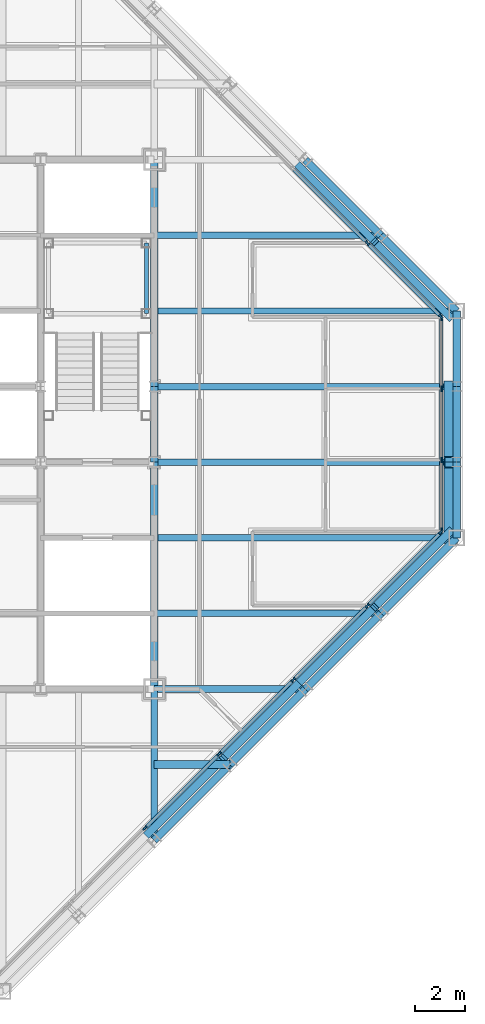
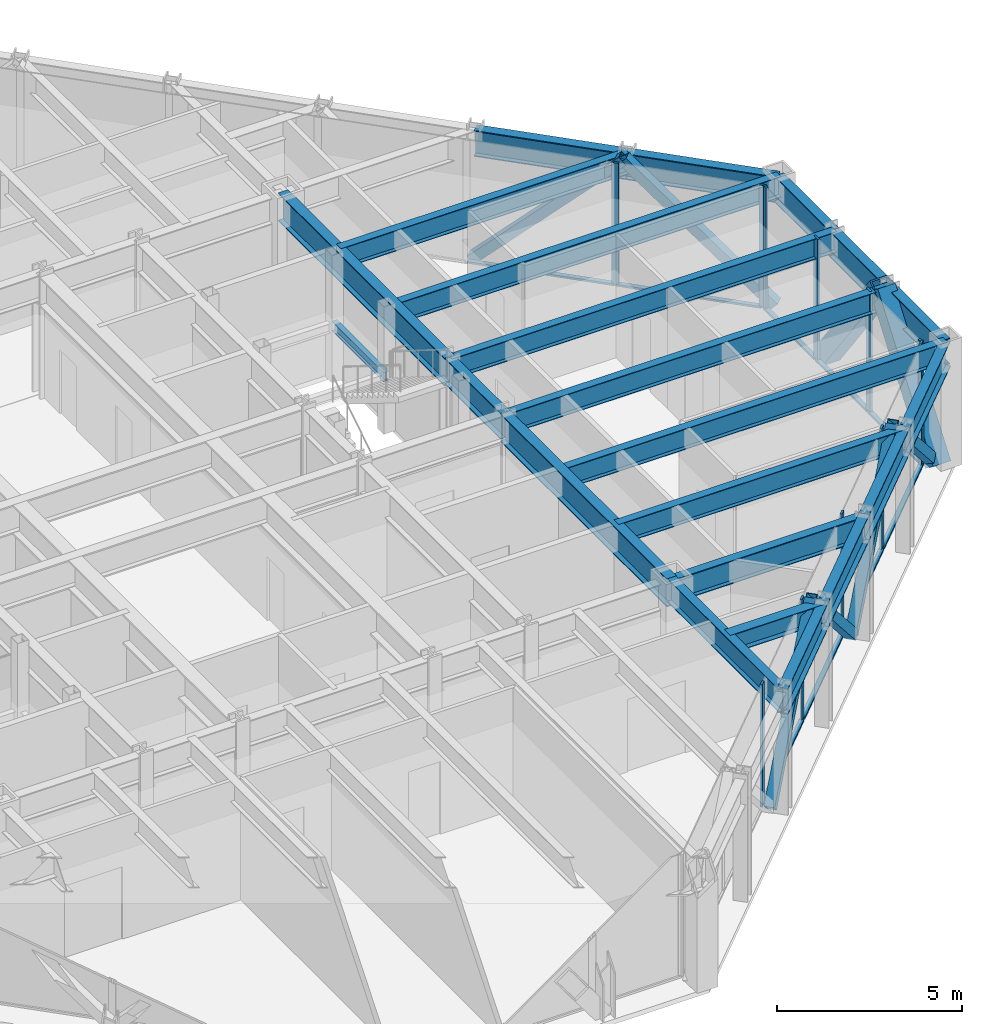
# One storey, part 7 of 15: 28 members, 22 beams, 3 elements without a shape of their own.
"""IFC4 building model written with IfcOpenShell, lengths in metres."""

from ifc_helpers import new_model, si_unit, direction, frame, origin, origin_2d, place, context, subcontext, project, spatial, rectangle, hollow_rectangle, i_section, extrude, material, layer, layer_set, material_profile, profile_set, type_object, element, aggregate, save


model = new_model("IFC4")

# Units and contexts
model_context = context("Model", 3, precision=1e-05, world=origin(), true_north=direction((0.0, 1.0)))
body_context = subcontext(model_context, "Body", "Model", "MODEL_VIEW")
ifc_project = project(units=[si_unit("LENGTHUNIT", "METRE"), si_unit("AREAUNIT", "SQUARE_METRE"), si_unit("VOLUMEUNIT", "CUBIC_METRE"), si_unit("PLANEANGLEUNIT", "RADIAN"), si_unit("MASSUNIT", "GRAM", prefix="KILO")], contexts=[model_context])

# Site, building, storey
site_placement = place(None, origin())
site = spatial("IfcSite", under=ifc_project, at=site_placement, CompositionType="ELEMENT")
building_placement = place(site_placement, origin())
building = spatial("IfcBuilding", under=site, at=building_placement, Name="Chuquiago Exchange Tower", CompositionType="ELEMENT")
storey_placement = place(building_placement, frame((0.0, 0.0, 291.60009765625)))
storey = spatial("IfcBuildingStorey", under=building, at=storey_placement, Name="L65", CompositionType="ELEMENT", Elevation=291.60009765625)

# Beams
ifc_material_1 = material(Name="Steel ASTM A992", Category="steel")
ifc_material_profile_1 = material_profile(ifc_material_1, i_section(OverallWidth=0.25390625, OverallDepth=0.683349609375, WebThickness=0.012451171875, FlangeThickness=0.018798828125, at=origin_2d()), Name="W27X94")
ifc_profile_set_1 = profile_set([ifc_material_profile_1], Name="Steel ASTM A992")
beam_type_1 = type_object("IfcBeamType", Name="B1 W27X94", PredefinedType="BEAM", material=ifc_profile_set_1)
beam_1_placement = place(storey_placement, frame((33.0, 15.0, 3.6982421875), z_axis=(1.0, 0.0, 0.0), x_axis=(0.0, 1.0, 0.0)))
element("IfcBeam", 1, at=beam_1_placement, inside=storey, type_object=beam_type_1, Name="FB-L66-infill-33_15-42_15-0", PredefinedType="BEAM", context=body_context, shape_type="SweptSolid", body=[
    extrude(i_section(OverallWidth=0.25390625, OverallDepth=0.683349609375, WebThickness=0.012451171875, FlangeThickness=0.018798828125, at=origin_2d()), origin(), (0.0, 0.0, 1.0), 9.0),
])
for number, where, z_axis, x_axis, name in (
    (2, (33.0, 18.0, 3.6982421875), (1.0, 0.0, 0.0), (0.0, 1.0, 0.0), "FB-L66-infill-33_18-45_18-0"),
    (3, (33.0, 21.0, 3.6982421875), (1.0, 0.0, 0.0), (0.0, 1.0, 0.0), "FB-L66-infill-33_21-45_21-0"),
    (4, (33.0, 24.0, 3.6982421875), (1.0, 0.0, 0.0), (0.0, 1.0, 0.0), "FB-L66-infill-33_24-45_24-0"),
    (5, (33.0, 27.0, 3.6982421875), (1.0, 0.0, 0.0), (0.0, 1.0, 0.0), "FB-L66-infill-33_27-45_27-0"),
):
    element("IfcBeam", number, at=place(storey_placement, frame(where, z_axis=z_axis, x_axis=x_axis)), inside=storey, type_object=beam_type_1, Name=name, PredefinedType="BEAM", context=body_context, shape_type="SweptSolid", body=[
        extrude(i_section(OverallWidth=0.25390625, OverallDepth=0.683349609375, WebThickness=0.012451171875, FlangeThickness=0.018798828125, at=origin_2d()), origin(), (0.0, 0.0, 1.0), 12.0),
    ])
beam_2_placement = place(storey_placement, frame((33.0, 30.0, 3.6982421875), z_axis=(1.0, 0.0, 0.0), x_axis=(0.0, 1.0, 0.0)))
element("IfcBeam", 6, at=beam_2_placement, inside=storey, type_object=beam_type_1, Name="FB-L66-infill-33_30-42_30-0", PredefinedType="BEAM", context=body_context, shape_type="SweptSolid", body=[
    extrude(i_section(OverallWidth=0.25390625, OverallDepth=0.683349609375, WebThickness=0.012451171875, FlangeThickness=0.018798828125, at=origin_2d()), origin(), (0.0, 0.0, 1.0), 9.0),
])
ifc_material_2 = material(Name="Steel ASTM A992", Category="steel")
ifc_material_profile_2 = material_profile(ifc_material_2, i_section(OverallWidth=0.307373046875, OverallDepth=0.927001953125, WebThickness=0.01953125, FlangeThickness=0.031982421875, at=origin_2d()), Name="W36X194")
ifc_profile_set_2 = profile_set([ifc_material_profile_2], Name="Steel ASTM A992")
beam_type_2 = type_object("IfcBeamType", Name="B10 W36X194", PredefinedType="BEAM", material=ifc_profile_set_2)
for number, where, z_axis, x_axis, name in (
    (7, (33.0, 12.0, 3.576416015625), (0.0, 1.0, 0.0), (-1.0, 0.0, 0.0), "CB-L66-33_12-33_21"),
    (8, (33.0, 24.0, 3.576416015625), (0.0, 1.0, 0.0), (-1.0, 0.0, 0.0), "CB-L66-33_24-33_33"),
):
    element("IfcBeam", number, at=place(storey_placement, frame(where, z_axis=z_axis, x_axis=x_axis)), inside=storey, type_object=beam_type_2, Name=name, PredefinedType="BEAM", context=body_context, shape_type="SweptSolid", body=[
        extrude(i_section(OverallWidth=0.307373046875, OverallDepth=0.927001953125, WebThickness=0.01953125, FlangeThickness=0.031982421875, at=origin_2d()), origin(), (0.0, 0.0, 1.0), 9.0),
    ])
ifc_material_3 = material(Name="Steel ASTM A992", Category="steel")
ifc_material_profile_3 = material_profile(ifc_material_3, i_section(OverallWidth=0.3251953125, OverallDepth=0.612060546875, WebThickness=0.0126953125, FlangeThickness=0.01904296875, at=origin_2d()), Name="W24X104")
ifc_profile_set_3 = profile_set([ifc_material_profile_3], Name="Steel ASTM A992")
beam_type_3 = type_object("IfcBeamType", Name="B2 W24X104", PredefinedType="BEAM", material=ifc_profile_set_3)
beam_3_placement = place(storey_placement, frame((33.0, 9.0, 3.73388671875), z_axis=(1.0, 0.0, 0.0), x_axis=(0.0, 1.0, 0.0)))
element("IfcBeam", 9, at=beam_3_placement, inside=storey, type_object=beam_type_3, Name="FB-L66-corner-33_9-36_9-0", PredefinedType="BEAM", context=body_context, shape_type="SweptSolid", body=[
    extrude(i_section(OverallWidth=0.3251953125, OverallDepth=0.612060546875, WebThickness=0.0126953125, FlangeThickness=0.01904296875, at=origin_2d()), origin(), (0.0, 0.0, 1.0), 3.0),
])
ifc_material_4 = material(Name="Steel ASTM A992", Category="steel")
ifc_material_profile_4 = material_profile(ifc_material_4, i_section(OverallWidth=0.2919921875, OverallDepth=0.8583984375, WebThickness=0.01708984375, FlangeThickness=0.031005859375, at=origin_2d()), Name="W33X169")
ifc_profile_set_4 = profile_set([ifc_material_profile_4], Name="Steel ASTM A992")
beam_type_4 = type_object("IfcBeamType", Name="B3 W33X169", PredefinedType="BEAM", material=ifc_profile_set_4)
beam_4_placement = place(storey_placement, frame((33.0, 21.0, 3.610595703125), z_axis=(0.0, 1.0, 0.0), x_axis=(-1.0, 0.0, 0.0)))
element("IfcBeam", 10, at=beam_4_placement, inside=storey, type_object=beam_type_4, Name="CB-L66-33_21-33_24", PredefinedType="BEAM", context=body_context, shape_type="SweptSolid", body=[
    extrude(i_section(OverallWidth=0.2919921875, OverallDepth=0.8583984375, WebThickness=0.01708984375, FlangeThickness=0.031005859375, at=origin_2d()), origin(), (0.0, 0.0, 1.0), 3.0),
])

# Curtain wall, members
ifc_material_5 = material(Name="Aluminium curtain wall system", Category="aluminium")
ifc_layer_1 = layer(ifc_material_5, 0.22509765625)
ifc_layer_set_1 = layer_set([ifc_layer_1], Name="CW2 office curtain wall")
curtain_wall_type_1 = type_object("IfcCurtainWallType", Name="CW2 office curtain wall", PredefinedType="NOTDEFINED", material=ifc_layer_set_1)
curtain_wall_1_placement = place(storey_placement, origin())
curtain_wall_1 = element("IfcCurtainWall", 11, at=curtain_wall_1_placement, inside=storey, type_object=curtain_wall_type_1, Name="CW2 curtain wall L65", PredefinedType="NOTDEFINED")
ifc_material_6 = material(Name="Aluminium mullion, pale anodised", Category="aluminium")
ifc_material_profile_5 = material_profile(ifc_material_6, rectangle(XDim=0.06494140625, YDim=0.22509765625, at=origin_2d()), Name="AL 65x225")
ifc_profile_set_5 = profile_set([ifc_material_profile_5], Name="Aluminium mullion, pale anodised")
member_type_1 = type_object("IfcMemberType", Name="CW2-M mullion 65x225", PredefinedType="MULLION", material=ifc_profile_set_5)
member_1_placement = place(storey_placement, frame((44.39990234375, 18.281005859375, 0.0), z_axis=(0.0, 0.0, 1.0), x_axis=(-1.0, 0.0, 0.0)))
member_1 = element("IfcMember", 12, at=member_1_placement, type_object=member_type_1, Name="CW2 mullion 1", PredefinedType="MULLION", context=body_context, shape_type="SweptSolid", body=[
    extrude(rectangle(XDim=0.06494140625, YDim=0.22509765625, at=origin_2d()), origin(), (0.0, 0.0, 1.0), 4.039794921875),
])
member_2_placement = place(storey_placement, frame((44.39990234375, 21.082763671875, 0.0), z_axis=(0.0, 0.0, 1.0), x_axis=(-1.0, 0.0, 0.0)))
member_2 = element("IfcMember", 13, at=member_2_placement, type_object=member_type_1, Name="CW2 mullion 2", PredefinedType="MULLION", context=body_context, shape_type="SweptSolid", body=[
    extrude(rectangle(XDim=0.06494140625, YDim=0.22509765625, at=origin_2d()), origin(), (0.0, 0.0, 1.0), 4.039794921875),
])
member_3_placement = place(storey_placement, frame((44.39990234375, 23.917236328125, 0.0), z_axis=(0.0, 0.0, 1.0), x_axis=(-1.0, 0.0, 0.0)))
member_3 = element("IfcMember", 14, at=member_3_placement, type_object=member_type_1, Name="CW2 mullion 3", PredefinedType="MULLION", context=body_context, shape_type="SweptSolid", body=[
    extrude(rectangle(XDim=0.06494140625, YDim=0.22509765625, at=origin_2d()), origin(), (0.0, 0.0, 1.0), 4.039794921875),
])
member_4_placement = place(storey_placement, frame((44.39990234375, 26.718994140625, 0.0), z_axis=(0.0, 0.0, 1.0), x_axis=(-1.0, 0.0, 0.0)))
member_4 = element("IfcMember", 15, at=member_4_placement, type_object=member_type_1, Name="CW2 mullion 4", PredefinedType="MULLION", context=body_context, shape_type="SweptSolid", body=[
    extrude(rectangle(XDim=0.06494140625, YDim=0.22509765625, at=origin_2d()), origin(), (0.0, 0.0, 1.0), 4.039794921875),
])
ifc_material_7 = material(Name="Aluminium transom, pale anodised", Category="aluminium")
ifc_material_profile_6 = material_profile(ifc_material_7, rectangle(XDim=0.139892578125, YDim=0.06494140625, at=origin_2d()), Name="AL 140x65")
ifc_profile_set_6 = profile_set([ifc_material_profile_6], Name="Aluminium transom, pale anodised")
member_type_2 = type_object("IfcMemberType", Name="CW2-T transom 65x140", PredefinedType="MULLION", material=ifc_profile_set_6)
member_5_placement = place(storey_placement, frame((44.39990234375, 18.3134765625, 0.032470703125), z_axis=(0.0, 1.0, 0.0), x_axis=(-1.0, 0.0, 0.0)))
member_5 = element("IfcMember", 16, at=member_5_placement, type_object=member_type_2, Name="CW2 transom 1.1", PredefinedType="MULLION", context=body_context, shape_type="SweptSolid", body=[
    extrude(rectangle(XDim=0.139892578125, YDim=0.06494140625, at=origin_2d()), origin(), (0.0, 0.0, 1.0), 2.73681640625),
])
member_6_placement = place(storey_placement, frame((44.39990234375, 21.115234375, 0.032470703125), z_axis=(0.0, 1.0, 0.0), x_axis=(-1.0, 0.0, 0.0)))
member_6 = element("IfcMember", 17, at=member_6_placement, type_object=member_type_2, Name="CW2 transom 2.1", PredefinedType="MULLION", context=body_context, shape_type="SweptSolid", body=[
    extrude(rectangle(XDim=0.139892578125, YDim=0.06494140625, at=origin_2d()), origin(), (0.0, 0.0, 1.0), 2.76953125),
])
member_7_placement = place(storey_placement, frame((44.39990234375, 23.94970703125, 0.032470703125), z_axis=(0.0, 1.0, 0.0), x_axis=(-1.0, 0.0, 0.0)))
member_7 = element("IfcMember", 18, at=member_7_placement, type_object=member_type_2, Name="CW2 transom 3.1", PredefinedType="MULLION", context=body_context, shape_type="SweptSolid", body=[
    extrude(rectangle(XDim=0.139892578125, YDim=0.06494140625, at=origin_2d()), origin(), (0.0, 0.0, 1.0), 2.73681640625),
])
aggregate(curtain_wall_1, [member_1, member_2, member_3, member_4, member_5, member_6, member_7])

ifc_material_8 = material(Name="Aluminium curtain wall system", Category="aluminium")
ifc_layer_2 = layer(ifc_material_8, 0.199951171875)
ifc_layer_set_2 = layer_set([ifc_layer_2], Name="CW3 facet curtain wall")
curtain_wall_type_2 = type_object("IfcCurtainWallType", Name="CW3 facet curtain wall", PredefinedType="NOTDEFINED", material=ifc_layer_set_2)
curtain_wall_2_placement = place(storey_placement, origin())
curtain_wall_2 = element("IfcCurtainWall", 19, at=curtain_wall_2_placement, inside=storey, type_object=curtain_wall_type_2, Name="CW3 curtain wall L65", PredefinedType="NOTDEFINED")
ifc_material_9 = material(Name="Aluminium mullion, pale anodised", Category="aluminium")
ifc_material_profile_7 = material_profile(ifc_material_9, rectangle(XDim=0.06494140625, YDim=0.199951171875, at=origin_2d()), Name="AL 65x200")
ifc_profile_set_7 = profile_set([ifc_material_profile_7], Name="Aluminium mullion, pale anodised")
member_type_3 = type_object("IfcMemberType", Name="CW3-M mullion 65x200", PredefinedType="MULLION", material=ifc_profile_set_7)
member_8_placement = place(storey_placement, frame((32.63427734375, 6.48291015625, 0.0), z_axis=(0.0, 0.0, 1.0), x_axis=(-0.707106781187, 0.707106781187, 0.0)))
member_8 = element("IfcMember", 20, at=member_8_placement, type_object=member_type_3, Name="CW3 mullion 3", PredefinedType="MULLION", context=body_context, shape_type="SweptSolid", body=[
    extrude(rectangle(XDim=0.06494140625, YDim=0.199951171875, at=origin_2d()), origin(), (0.0, 0.0, 1.0), 4.039794921875),
])
member_9_placement = place(storey_placement, frame((35.57568359375, 9.42431640625, 0.0), z_axis=(0.0, 0.0, 1.0), x_axis=(-0.707106781187, 0.707106781187, 0.0)))
member_9 = element("IfcMember", 21, at=member_9_placement, type_object=member_type_3, Name="CW3 mullion 4", PredefinedType="MULLION", context=body_context, shape_type="SweptSolid", body=[
    extrude(rectangle(XDim=0.06494140625, YDim=0.199951171875, at=origin_2d()), origin(), (0.0, 0.0, 1.0), 4.039794921875),
])
member_10_placement = place(storey_placement, frame((38.51708984375, 12.36572265625, 0.0), z_axis=(0.0, 0.0, 1.0), x_axis=(-0.707106781187, 0.707106781187, 0.0)))
member_10 = element("IfcMember", 22, at=member_10_placement, type_object=member_type_3, Name="CW3 mullion 5", PredefinedType="MULLION", context=body_context, shape_type="SweptSolid", body=[
    extrude(rectangle(XDim=0.06494140625, YDim=0.199951171875, at=origin_2d()), origin(), (0.0, 0.0, 1.0), 4.039794921875),
])
member_11_placement = place(storey_placement, frame((41.45849609375, 15.30712890625, 0.0), z_axis=(0.0, 0.0, 1.0), x_axis=(-0.707106781187, 0.707106781187, 0.0)))
member_11 = element("IfcMember", 23, at=member_11_placement, type_object=member_type_3, Name="CW3 mullion 6", PredefinedType="MULLION", context=body_context, shape_type="SweptSolid", body=[
    extrude(rectangle(XDim=0.06494140625, YDim=0.199951171875, at=origin_2d()), origin(), (0.0, 0.0, 1.0), 4.039794921875),
])
member_12_placement = place(storey_placement, frame((44.376953125, 18.2255859375, 0.0), z_axis=(0.0, 0.0, 1.0), x_axis=(-0.707106781187, 0.707106781187, 0.0)))
member_12 = element("IfcMember", 24, at=member_12_placement, type_object=member_type_3, Name="CW3 mullion 7", PredefinedType="MULLION", context=body_context, shape_type="SweptSolid", body=[
    extrude(rectangle(XDim=0.06494140625, YDim=0.199951171875, at=origin_2d()), origin(), (0.0, 0.0, 1.0), 4.039794921875),
])

curtain_wall_3_placement = place(storey_placement, origin())
curtain_wall_3 = element("IfcCurtainWall", 25, at=curtain_wall_3_placement, inside=storey, type_object=curtain_wall_type_2, Name="CW3 curtain wall L65", PredefinedType="NOTDEFINED")
member_13_placement = place(storey_placement, frame((44.376953125, 26.7744140625, 0.0), z_axis=(0.0, 0.0, 1.0), x_axis=(-0.707106781187, -0.707106781187, 0.0)))
member_13 = element("IfcMember", 26, at=member_13_placement, type_object=member_type_3, Name="CW3 mullion 1", PredefinedType="MULLION", context=body_context, shape_type="SweptSolid", body=[
    extrude(rectangle(XDim=0.06494140625, YDim=0.199951171875, at=origin_2d()), origin(), (0.0, 0.0, 1.0), 4.039794921875),
])
member_14_placement = place(storey_placement, frame((41.45849609375, 29.69287109375, 0.0), z_axis=(0.0, 0.0, 1.0), x_axis=(-0.707106781187, -0.707106781187, 0.0)))
member_14 = element("IfcMember", 27, at=member_14_placement, type_object=member_type_3, Name="CW3 mullion 2", PredefinedType="MULLION", context=body_context, shape_type="SweptSolid", body=[
    extrude(rectangle(XDim=0.06494140625, YDim=0.199951171875, at=origin_2d()), origin(), (0.0, 0.0, 1.0), 4.039794921875),
])

# Member
ifc_material_10 = material(Name="Aluminium transom, pale anodised", Category="aluminium")
ifc_material_profile_8 = material_profile(ifc_material_10, rectangle(XDim=0.139892578125, YDim=0.06494140625, at=origin_2d()), Name="AL 140x65")
ifc_profile_set_8 = profile_set([ifc_material_profile_8], Name="Aluminium transom, pale anodised")
member_type_4 = type_object("IfcMemberType", Name="CW3-T transom 65x140", PredefinedType="MULLION", material=ifc_profile_set_8)
member_15_placement = place(storey_placement, frame((32.6572265625, 6.505859375, 0.032470703125), z_axis=(0.707106781187, 0.707106781187, 0.0), x_axis=(-0.707106781187, 0.707106781187, 0.0)))
member_15 = element("IfcMember", 28, at=member_15_placement, type_object=member_type_4, Name="CW3 transom 3.1", PredefinedType="MULLION", context=body_context, shape_type="SweptSolid", body=[
    extrude(rectangle(XDim=0.139892578125, YDim=0.06494140625, at=origin_2d()), origin(), (0.0, 0.0, 1.0), 4.094970703125),
])

member_16_placement = place(storey_placement, frame((35.5986328125, 9.447265625, 0.032470703125), z_axis=(0.707106781187, 0.707106781187, 0.0), x_axis=(-0.707106781187, 0.707106781187, 0.0)))
member_16 = element("IfcMember", 29, at=member_16_placement, type_object=member_type_4, Name="CW3 transom 4.1", PredefinedType="MULLION", context=body_context, shape_type="SweptSolid", body=[
    extrude(rectangle(XDim=0.139892578125, YDim=0.06494140625, at=origin_2d()), origin(), (0.0, 0.0, 1.0), 4.094970703125),
])

member_17_placement = place(storey_placement, frame((38.5400390625, 12.388671875, 0.032470703125), z_axis=(0.707106781187, 0.707106781187, 0.0), x_axis=(-0.707106781187, 0.707106781187, 0.0)))
member_17 = element("IfcMember", 30, at=member_17_placement, type_object=member_type_4, Name="CW3 transom 5.1", PredefinedType="MULLION", context=body_context, shape_type="SweptSolid", body=[
    extrude(rectangle(XDim=0.139892578125, YDim=0.06494140625, at=origin_2d()), origin(), (0.0, 0.0, 1.0), 4.094970703125),
])

member_18_placement = place(storey_placement, frame((41.4814453125, 15.330078125, 0.032470703125), z_axis=(0.707106781187, 0.707106781187, 0.0), x_axis=(-0.707106781187, 0.707106781187, 0.0)))
member_18 = element("IfcMember", 31, at=member_18_placement, type_object=member_type_4, Name="CW3 transom 6.1", PredefinedType="MULLION", context=body_context, shape_type="SweptSolid", body=[
    extrude(rectangle(XDim=0.139892578125, YDim=0.06494140625, at=origin_2d()), origin(), (0.0, 0.0, 1.0), 4.0625),
])

aggregate(curtain_wall_2, [member_8, member_9, member_10, member_11, member_12, member_15, member_16, member_17, member_18])

member_19_placement = place(storey_placement, frame((44.35400390625, 26.79736328125, 0.032470703125), z_axis=(-0.707106781187, 0.707106781187, 0.0), x_axis=(-0.707106781187, -0.707106781187, 0.0)))
member_19 = element("IfcMember", 32, at=member_19_placement, type_object=member_type_4, Name="CW3 transom 1.1", PredefinedType="MULLION", context=body_context, shape_type="SweptSolid", body=[
    extrude(rectangle(XDim=0.139892578125, YDim=0.06494140625, at=origin_2d()), origin(), (0.0, 0.0, 1.0), 4.0625),
])

member_20_placement = place(storey_placement, frame((41.435546875, 29.7158203125, 0.032470703125), z_axis=(-0.707106781187, 0.707106781187, 0.0), x_axis=(-0.707106781187, -0.707106781187, 0.0)))
member_20 = element("IfcMember", 33, at=member_20_placement, type_object=member_type_4, Name="CW3 transom 2.1", PredefinedType="MULLION", context=body_context, shape_type="SweptSolid", body=[
    extrude(rectangle(XDim=0.139892578125, YDim=0.06494140625, at=origin_2d()), origin(), (0.0, 0.0, 1.0), 4.094970703125),
])

aggregate(curtain_wall_3, [member_13, member_14, member_19, member_20])

# Beams
ifc_material_11 = material(Name="Steel ASTM A992", Category="steel")
ifc_material_profile_9 = material_profile(ifc_material_11, i_section(OverallWidth=0.2666015625, OverallDepth=0.76953125, WebThickness=0.015625, FlangeThickness=0.025390625, at=origin_2d()), Name="W30X132")
ifc_profile_set_9 = profile_set([ifc_material_profile_9], Name="Steel ASTM A992")
beam_type_5 = type_object("IfcBeamType", Name="G1 W30X132", PredefinedType="BEAM", material=ifc_profile_set_9)
for number, where, z_axis, x_axis, name in (
    (34, (33.0, 12.0, 3.655029296875), (0.0, -1.0, 0.0), (1.0, 0.0, 0.0), "FB-L66-girder-33_12-33_6-0"),
    (35, (33.0, 12.0, 3.655029296875), (1.0, 0.0, 0.0), (0.0, 1.0, 0.0), "FB-L66-girder-33_12-39_12-0"),
):
    element("IfcBeam", number, at=place(storey_placement, frame(where, z_axis=z_axis, x_axis=x_axis)), inside=storey, type_object=beam_type_5, Name=name, PredefinedType="BEAM", context=body_context, shape_type="SweptSolid", body=[
        extrude(i_section(OverallWidth=0.2666015625, OverallDepth=0.76953125, WebThickness=0.015625, FlangeThickness=0.025390625, at=origin_2d()), origin(), (0.0, 0.0, 1.0), 6.0),
    ])

# Members
ifc_material_12 = material(Name="Steel ASTM A500 Grade C", Category="steel")
ifc_material_profile_10 = material_profile(ifc_material_12, hollow_rectangle(XDim=0.3046875, YDim=0.3046875, WallThickness=0.0146484375, at=origin_2d()), Name="HSS12X12X5/8")
ifc_profile_set_10 = profile_set([ifc_material_profile_10], Name="Steel ASTM A500 Grade C")
member_type_5 = type_object("IfcMemberType", Name="LB3 HSS12X12X5/8", PredefinedType="BRACE", material=ifc_profile_set_10)
for number, where, z_axis, x_axis, name in (
    (36, (32.750732421875, 6.249267578125, 0.0), (0.51209198167, 0.51209198167, 0.689582195694), (-0.707106781187, 0.707106781187, 0.0), "LB-L65-33_6-36_9"),
    (37, (38.750732421875, 12.249267578125, 0.0), (-0.51209198167, -0.51209198167, 0.689582195694), (0.707106781187, -0.707106781187, 0.0), "LB-L65-36_9-39_12"),
    (38, (38.750732421875, 12.249267578125, 0.0), (0.51209198167, 0.51209198167, 0.689582195694), (-0.707106781187, 0.707106781187, 0.0), "LB-L65-39_12-42_15"),
    (39, (44.750732421875, 18.249267578125, 0.0), (-0.51209198167, -0.51209198167, 0.689582195694), (0.707106781187, -0.707106781187, 0.0), "LB-L65-42_15-45_18"),
    (40, (44.750732421875, 26.750732421875, 0.0), (-0.51209198167, 0.51209198167, 0.689582195694), (-0.707106781187, -0.707106781187, 0.0), "LB-L65-45_27-42_30"),
    (41, (38.750732421875, 32.750732421875, 0.0), (0.51209198167, -0.51209198167, 0.689582195694), (0.707106781187, 0.707106781187, 0.0), "LB-L65-42_30-39_33"),
):
    element("IfcMember", number, at=place(storey_placement, frame(where, z_axis=z_axis, x_axis=x_axis)), inside=storey, type_object=member_type_5, Name=name, PredefinedType="BRACE", context=body_context, shape_type="SweptSolid", body=[
        extrude(hollow_rectangle(XDim=0.3046875, YDim=0.3046875, WallThickness=0.0146484375, at=origin_2d()), origin(), (0.0, 0.0, 1.0), 5.8583984375),
    ])

# Beam
ifc_material_13 = material(Name="Steel ASTM A992", Category="steel")
ifc_material_profile_11 = material_profile(ifc_material_13, i_section(OverallWidth=0.164794921875, OverallDepth=0.309814453125, WebThickness=0.005859375, FlangeThickness=0.009765625, at=origin_2d()), Name="W12X26")
ifc_profile_set_11 = profile_set([ifc_material_profile_11], Name="Steel ASTM A992")
beam_type_6 = type_object("IfcBeamType", Name="LS1 W12X26", PredefinedType="BEAM", material=ifc_profile_set_11)
beam_5_placement = place(storey_placement, frame((32.68994140625, 26.889892578125, 1.7451171875), z_axis=(0.0, 1.0, 0.0), x_axis=(-1.0, 0.0, 0.0)))
element("IfcBeam", 42, at=beam_5_placement, inside=storey, type_object=beam_type_6, Name="Stair ST2 L65 landing 1 stringer", PredefinedType="BEAM", context=body_context, shape_type="SweptSolid", body=[
    extrude(i_section(OverallWidth=0.164794921875, OverallDepth=0.309814453125, WebThickness=0.005859375, FlangeThickness=0.009765625, at=origin_2d()), origin(), (0.0, 0.0, 1.0), 2.800048828125),
])

# Members
ifc_material_14 = material(Name="Steel ASTM A572 Grade 50", Category="steel")
ifc_material_profile_12 = material_profile(ifc_material_14, hollow_rectangle(XDim=0.550048828125, YDim=0.550048828125, WallThickness=0.044921875, at=origin_2d()), Name="BOX550X550X45")
ifc_profile_set_12 = profile_set([ifc_material_profile_12], Name="Steel ASTM A572 Grade 50")
member_type_6 = type_object("IfcMemberType", Name="MB4 BOX550X550X45", PredefinedType="BRACE", material=ifc_profile_set_12)
for number, where, z_axis, x_axis, name in (
    (43, (44.77001953125, 18.0, 0.0), (0.0, 0.596197146086, 0.802838067732), (-1.0, 0.0, 0.0), "Mega diagonal L65 E face"),
    (44, (44.77001953125, 24.0, 0.0), (0.0, -0.596197146086, 0.802838067732), (1.0, 0.0, 0.0), "Mega diagonal L65 E face"),
):
    element("IfcMember", number, at=place(storey_placement, frame(where, z_axis=z_axis, x_axis=x_axis)), inside=storey, type_object=member_type_6, Name=name, PredefinedType="BRACE", context=body_context, shape_type="SweptSolid", body=[
        extrude(hollow_rectangle(XDim=0.550048828125, YDim=0.550048828125, WallThickness=0.044921875, at=origin_2d()), origin(), (0.0, 0.0, 1.0), 5.031982421875),
    ])

# Beams
ifc_material_15 = material(Name="Steel ASTM A992", Category="steel")
ifc_material_profile_13 = material_profile(ifc_material_15, i_section(OverallWidth=0.2919921875, OverallDepth=0.8583984375, WebThickness=0.01708984375, FlangeThickness=0.031005859375, at=origin_2d()), Name="W33X169")
ifc_profile_set_13 = profile_set([ifc_material_profile_13], Name="Steel ASTM A992")
beam_type_7 = type_object("IfcBeamType", Name="SP4 W33X169", PredefinedType="SPANDREL", material=ifc_profile_set_13)
for number, where, z_axis, x_axis, name in (
    (45, (33.0, 6.0, 3.610595703125), (0.707106781187, 0.707106781187, 0.0), (-0.707106781187, 0.707106781187, 0.0), "SPB-L66-33_6-36_9"),
    (46, (36.0, 9.0, 3.610595703125), (0.707106781187, 0.707106781187, 0.0), (-0.707106781187, 0.707106781187, 0.0), "SPB-L66-36_9-39_12"),
    (47, (39.0, 12.0, 3.610595703125), (0.707106781187, 0.707106781187, 0.0), (-0.707106781187, 0.707106781187, 0.0), "SPB-L66-39_12-42_15"),
    (48, (42.0, 15.0, 3.610595703125), (0.707106781187, 0.707106781187, 0.0), (-0.707106781187, 0.707106781187, 0.0), "SPB-L66-42_15-45_18"),
):
    element("IfcBeam", number, at=place(storey_placement, frame(where, z_axis=z_axis, x_axis=x_axis)), inside=storey, type_object=beam_type_7, Name=name, PredefinedType="SPANDREL", context=body_context, shape_type="SweptSolid", body=[
        extrude(i_section(OverallWidth=0.2919921875, OverallDepth=0.8583984375, WebThickness=0.01708984375, FlangeThickness=0.031005859375, at=origin_2d()), origin(), (0.0, 0.0, 1.0), 4.24267578125),
    ])
for number, where, z_axis, x_axis, name in (
    (49, (45.0, 18.0, 3.610595703125), (0.0, 1.0, 0.0), (-1.0, 0.0, 0.0), "SPB-L66-45_18-45_21"),
    (50, (45.0, 21.0, 3.610595703125), (0.0, 1.0, 0.0), (-1.0, 0.0, 0.0), "SPB-L66-45_21-45_24"),
    (51, (45.0, 24.0, 3.610595703125), (0.0, 1.0, 0.0), (-1.0, 0.0, 0.0), "SPB-L66-45_24-45_27"),
):
    element("IfcBeam", number, at=place(storey_placement, frame(where, z_axis=z_axis, x_axis=x_axis)), inside=storey, type_object=beam_type_7, Name=name, PredefinedType="SPANDREL", context=body_context, shape_type="SweptSolid", body=[
        extrude(i_section(OverallWidth=0.2919921875, OverallDepth=0.8583984375, WebThickness=0.01708984375, FlangeThickness=0.031005859375, at=origin_2d()), origin(), (0.0, 0.0, 1.0), 3.0),
    ])
for number, where, z_axis, x_axis, name in (
    (52, (45.0, 27.0, 3.610595703125), (-0.707106781187, 0.707106781187, 0.0), (-0.707106781187, -0.707106781187, 0.0), "SPB-L66-45_27-42_30"),
    (53, (42.0, 30.0, 3.610595703125), (-0.707106781187, 0.707106781187, 0.0), (-0.707106781187, -0.707106781187, 0.0), "SPB-L66-42_30-39_33"),
):
    element("IfcBeam", number, at=place(storey_placement, frame(where, z_axis=z_axis, x_axis=x_axis)), inside=storey, type_object=beam_type_7, Name=name, PredefinedType="SPANDREL", context=body_context, shape_type="SweptSolid", body=[
        extrude(i_section(OverallWidth=0.2919921875, OverallDepth=0.8583984375, WebThickness=0.01708984375, FlangeThickness=0.031005859375, at=origin_2d()), origin(), (0.0, 0.0, 1.0), 4.24267578125),
    ])

save(model, "model.ifc")
